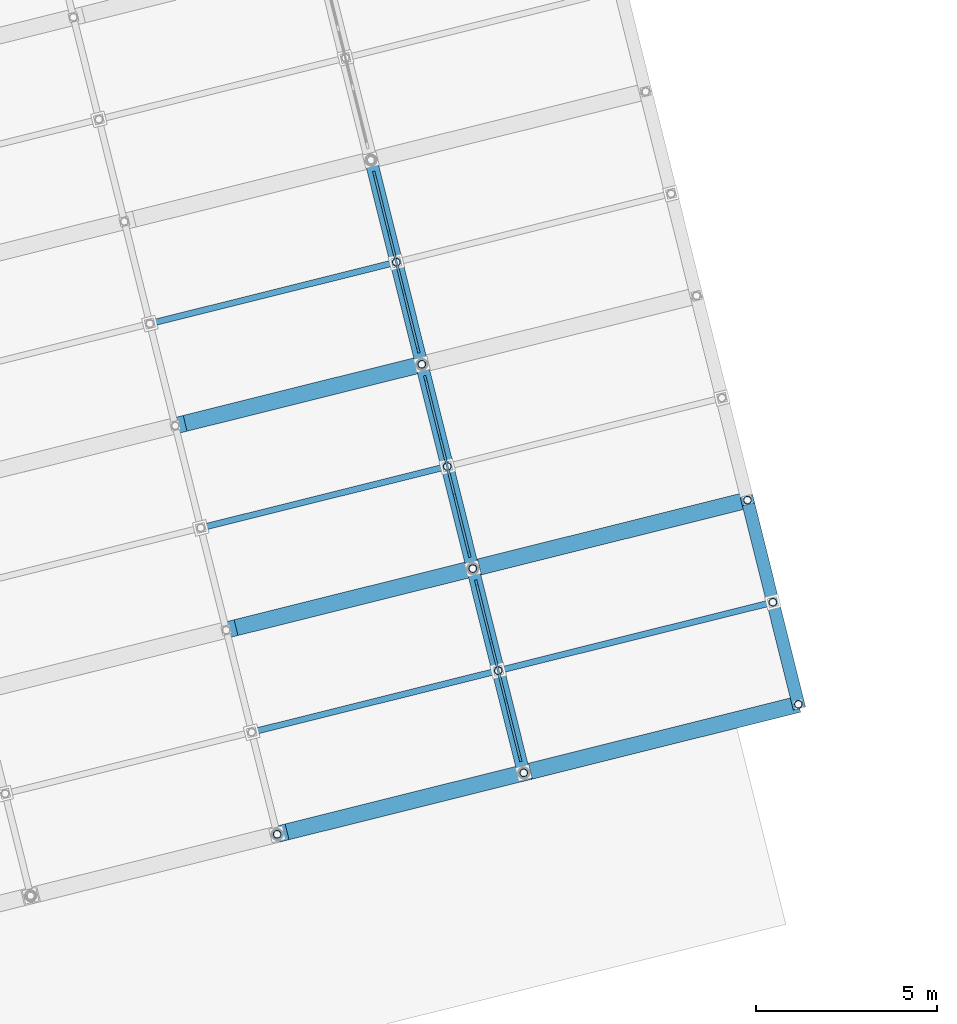
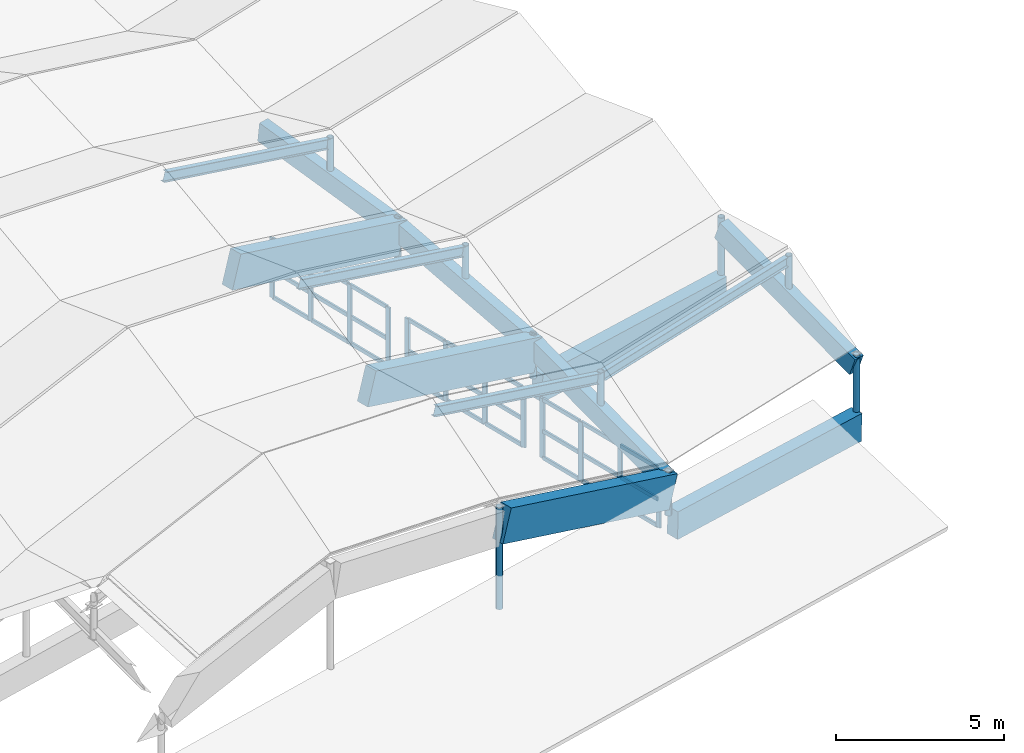
# One storey, part 25 of 65: 49 members, 13 beams, 3 elements without a shape of their own.
"""IFC4 building model written with IfcOpenShell, lengths in metres."""

from ifc_helpers import new_model, si_unit, direction, frame, origin, origin_2d, place, context, subcontext, project, spatial, rectangle, hollow_circle, i_section, extrude, material, material_profile, profile_set, type_object, element, aggregate, save


model = new_model("IFC4")

# Units and contexts
model_context = context("Model", 3, precision=1e-05, world=origin(), true_north=direction((0.0, 1.0)))
body_context = subcontext(model_context, "Body", "Model", "MODEL_VIEW")
ifc_project = project(units=[si_unit("LENGTHUNIT", "METRE"), si_unit("AREAUNIT", "SQUARE_METRE"), si_unit("VOLUMEUNIT", "CUBIC_METRE"), si_unit("PLANEANGLEUNIT", "RADIAN"), si_unit("MASSUNIT", "GRAM", prefix="KILO")], contexts=[model_context])

# Site, building, storey
site_placement = place(None, origin())
site = spatial("IfcSite", under=ifc_project, at=site_placement, CompositionType="ELEMENT")
building_placement = place(site_placement, origin())
building = spatial("IfcBuilding", under=site, at=building_placement, Name="Cinderway Yard Community Centre", CompositionType="ELEMENT")
storey_placement = place(building_placement, frame((0.0, 0.0, 24.300048828125)))
storey = spatial("IfcBuildingStorey", under=building, at=storey_placement, Name="RF", CompositionType="ELEMENT", Elevation=24.300048828125)

# Curtain wall, members
ifc_material_1 = material(Name="Aluminium 6063-T6", Category="aluminium")
curtain_wall_type = type_object("IfcCurtainWallType", Name="ENV-CW-TYPE-10", PredefinedType="USERDEFINED", material=ifc_material_1)
curtain_wall_1_placement = place(storey_placement, origin())
curtain_wall_1 = element("IfcCurtainWall", 1, at=curtain_wall_1_placement, inside=storey, type_object=curtain_wall_type, Name="Main Hall East Clerestory Curtain Wall ENV-CW-RF-HS-0030", ObjectType="GLAZED CURTAIN WALL", PredefinedType="USERDEFINED")
ifc_material_profile_1 = material_profile(ifc_material_1, rectangle(XDim=0.06494140625, YDim=0.179931640625, at=origin_2d()), Name="Aluminium 6063-T6")
ifc_profile_set_1 = profile_set([ifc_material_profile_1], Name="Aluminium 6063-T6")
member_type_1 = type_object("IfcMemberType", Name="ENV-CW-MULL-180", PredefinedType="MULLION", material=ifc_profile_set_1)
member_1_placement = place(storey_placement, frame((46.878662109375, 32.2890625, -11.420166015625), z_axis=(0.0, 0.0, 1.0), x_axis=(-0.970294077356, -0.24192850896, 0.0)))
member_1 = element("IfcMember", 2, at=member_1_placement, type_object=member_type_1, Name="CW-10 mullion 1", PredefinedType="MULLION", context=body_context, shape_type="SweptSolid", body=[
    extrude(rectangle(XDim=0.06494140625, YDim=0.179931640625, at=origin_2d()), origin(), (0.0, 0.0, 1.0), 2.170166015625),
])
member_2_placement = place(storey_placement, frame((46.479736328125, 33.8896484375, -11.420166015625), z_axis=(0.0, 0.0, 1.0), x_axis=(-0.970294077356, -0.24192850896, 0.0)))
member_2 = element("IfcMember", 3, at=member_2_placement, type_object=member_type_1, Name="CW-10 mullion 2", PredefinedType="MULLION", context=body_context, shape_type="SweptSolid", body=[
    extrude(rectangle(XDim=0.06494140625, YDim=0.179931640625, at=origin_2d()), origin(), (0.0, 0.0, 1.0), 2.170166015625),
])
member_3_placement = place(storey_placement, frame((46.0732421875, 35.519287109375, -11.420166015625), z_axis=(0.0, 0.0, 1.0), x_axis=(-0.970294077356, -0.24192850896, 0.0)))
member_3 = element("IfcMember", 4, at=member_3_placement, type_object=member_type_1, Name="CW-10 mullion 3", PredefinedType="MULLION", context=body_context, shape_type="SweptSolid", body=[
    extrude(rectangle(XDim=0.06494140625, YDim=0.179931640625, at=origin_2d()), origin(), (0.0, 0.0, 1.0), 2.170166015625),
])
member_4_placement = place(storey_placement, frame((45.67431640625, 37.119873046875, -11.420166015625), z_axis=(0.0, 0.0, 1.0), x_axis=(-0.970294077356, -0.24192850896, 0.0)))
member_4 = element("IfcMember", 5, at=member_4_placement, type_object=member_type_1, Name="CW-10 mullion 4", PredefinedType="MULLION", context=body_context, shape_type="SweptSolid", body=[
    extrude(rectangle(XDim=0.06494140625, YDim=0.179931640625, at=origin_2d()), origin(), (0.0, 0.0, 1.0), 2.170166015625),
])

curtain_wall_2_placement = place(storey_placement, origin())
curtain_wall_2 = element("IfcCurtainWall", 6, at=curtain_wall_2_placement, inside=storey, type_object=curtain_wall_type, Name="Main Hall East Clerestory Curtain Wall ENV-CW-RF-HS-0031", ObjectType="GLAZED CURTAIN WALL", PredefinedType="USERDEFINED")
member_5_placement = place(storey_placement, frame((45.475830078125, 37.916015625, -11.420166015625), z_axis=(0.0, 0.0, 1.0), x_axis=(-0.97025910369, -0.242068733434, 0.0)))
member_5 = element("IfcMember", 7, at=member_5_placement, type_object=member_type_1, Name="CW-10 mullion 1", PredefinedType="MULLION", context=body_context, shape_type="SweptSolid", body=[
    extrude(rectangle(XDim=0.06494140625, YDim=0.179931640625, at=origin_2d()), origin(), (0.0, 0.0, 1.0), 2.170166015625),
])
member_6_placement = place(storey_placement, frame((45.076416015625, 39.51708984375, -11.420166015625), z_axis=(0.0, 0.0, 1.0), x_axis=(-0.97025910369, -0.242068733434, 0.0)))
member_6 = element("IfcMember", 8, at=member_6_placement, type_object=member_type_1, Name="CW-10 mullion 2", PredefinedType="MULLION", context=body_context, shape_type="SweptSolid", body=[
    extrude(rectangle(XDim=0.06494140625, YDim=0.179931640625, at=origin_2d()), origin(), (0.0, 0.0, 1.0), 2.170166015625),
])
member_7_placement = place(storey_placement, frame((44.669677734375, 41.14697265625, -11.420166015625), z_axis=(0.0, 0.0, 1.0), x_axis=(-0.97025910369, -0.242068733434, 0.0)))
member_7 = element("IfcMember", 9, at=member_7_placement, type_object=member_type_1, Name="CW-10 mullion 3", PredefinedType="MULLION", context=body_context, shape_type="SweptSolid", body=[
    extrude(rectangle(XDim=0.06494140625, YDim=0.179931640625, at=origin_2d()), origin(), (0.0, 0.0, 1.0), 2.170166015625),
])
member_8_placement = place(storey_placement, frame((44.270263671875, 42.747802734375, -11.420166015625), z_axis=(0.0, 0.0, 1.0), x_axis=(-0.97025910369, -0.242068733434, 0.0)))
member_8 = element("IfcMember", 10, at=member_8_placement, type_object=member_type_1, Name="CW-10 mullion 4", PredefinedType="MULLION", context=body_context, shape_type="SweptSolid", body=[
    extrude(rectangle(XDim=0.06494140625, YDim=0.179931640625, at=origin_2d()), origin(), (0.0, 0.0, 1.0), 2.170166015625),
])

curtain_wall_3_placement = place(storey_placement, origin())
curtain_wall_3 = element("IfcCurtainWall", 11, at=curtain_wall_3_placement, inside=storey, type_object=curtain_wall_type, Name="Main Hall East Clerestory Curtain Wall ENV-CW-RF-HS-0032", ObjectType="GLAZED CURTAIN WALL", PredefinedType="USERDEFINED")
member_9_placement = place(storey_placement, frame((44.07177734375, 43.544189453125, -11.420166015625), z_axis=(0.0, 0.0, 1.0), x_axis=(-0.970305690025, -0.241881929678, 0.0)))
member_9 = element("IfcMember", 12, at=member_9_placement, type_object=member_type_1, Name="CW-10 mullion 1", PredefinedType="MULLION", context=body_context, shape_type="SweptSolid", body=[
    extrude(rectangle(XDim=0.06494140625, YDim=0.179931640625, at=origin_2d()), origin(), (0.0, 0.0, 1.0), 2.170166015625),
])
member_10_placement = place(storey_placement, frame((43.672607421875, 45.14501953125, -11.420166015625), z_axis=(0.0, 0.0, 1.0), x_axis=(-0.970305690025, -0.241881929678, 0.0)))
member_10 = element("IfcMember", 13, at=member_10_placement, type_object=member_type_1, Name="CW-10 mullion 2", PredefinedType="MULLION", context=body_context, shape_type="SweptSolid", body=[
    extrude(rectangle(XDim=0.06494140625, YDim=0.179931640625, at=origin_2d()), origin(), (0.0, 0.0, 1.0), 2.170166015625),
])
member_11_placement = place(storey_placement, frame((43.266357421875, 46.77490234375, -11.420166015625), z_axis=(0.0, 0.0, 1.0), x_axis=(-0.970305690025, -0.241881929678, 0.0)))
member_11 = element("IfcMember", 14, at=member_11_placement, type_object=member_type_1, Name="CW-10 mullion 3", PredefinedType="MULLION", context=body_context, shape_type="SweptSolid", body=[
    extrude(rectangle(XDim=0.06494140625, YDim=0.179931640625, at=origin_2d()), origin(), (0.0, 0.0, 1.0), 2.170166015625),
])
member_12_placement = place(storey_placement, frame((42.8671875, 48.3759765625, -11.420166015625), z_axis=(0.0, 0.0, 1.0), x_axis=(-0.970305690025, -0.241881929678, 0.0)))
member_12 = element("IfcMember", 15, at=member_12_placement, type_object=member_type_1, Name="CW-10 mullion 4", PredefinedType="MULLION", context=body_context, shape_type="SweptSolid", body=[
    extrude(rectangle(XDim=0.06494140625, YDim=0.179931640625, at=origin_2d()), origin(), (0.0, 0.0, 1.0), 2.170166015625),
])

# Member
ifc_material_profile_2 = material_profile(ifc_material_1, rectangle(XDim=0.06494140625, YDim=0.139892578125, at=origin_2d()), Name="Aluminium 6063-T6")
ifc_profile_set_2 = profile_set([ifc_material_profile_2], Name="Aluminium 6063-T6")
member_type_2 = type_object("IfcMemberType", Name="ENV-CW-TRAN-140", PredefinedType="USERDEFINED", material=ifc_profile_set_2)
member_13_placement = place(storey_placement, frame((46.87158203125, 32.318115234375, -11.39013671875), z_axis=(-0.242029707335, 0.970268839429, 0.0), x_axis=(-0.970268839429, -0.242029707335, 0.0)))
member_13 = element("IfcMember", 16, at=member_13_placement, type_object=member_type_2, Name="CW-10 transom 1.1", ObjectType="TRANSOM", PredefinedType="USERDEFINED", context=body_context, shape_type="SweptSolid", body=[
    extrude(rectangle(XDim=0.06494140625, YDim=0.139892578125, at=origin_2d()), origin(), (0.0, 0.0, 1.0), 1.58984375),
])

member_14_placement = place(storey_placement, frame((46.87158203125, 32.318115234375, -10.420166015625), z_axis=(-0.242029707335, 0.970268839429, 0.0), x_axis=(-0.970268839429, -0.242029707335, 0.0)))
member_14 = element("IfcMember", 17, at=member_14_placement, type_object=member_type_2, Name="CW-10 transom 1.2", ObjectType="TRANSOM", PredefinedType="USERDEFINED", context=body_context, shape_type="SweptSolid", body=[
    extrude(rectangle(XDim=0.06494140625, YDim=0.139892578125, at=origin_2d()), origin(), (0.0, 0.0, 1.0), 1.58984375),
])

member_15_placement = place(storey_placement, frame((46.87158203125, 32.318115234375, -9.280029296875), z_axis=(-0.242029707335, 0.970268839429, 0.0), x_axis=(-0.970268839429, -0.242029707335, 0.0)))
member_15 = element("IfcMember", 18, at=member_15_placement, type_object=member_type_2, Name="CW-10 transom 1.3", ObjectType="TRANSOM", PredefinedType="USERDEFINED", context=body_context, shape_type="SweptSolid", body=[
    extrude(rectangle(XDim=0.06494140625, YDim=0.139892578125, at=origin_2d()), origin(), (0.0, 0.0, 1.0), 1.58984375),
])

member_16_placement = place(storey_placement, frame((46.472412109375, 33.918701171875, -11.39013671875), z_axis=(-0.241932630828, 0.97029304962, 0.0), x_axis=(-0.97029304962, -0.241932630828, 0.0)))
member_16 = element("IfcMember", 19, at=member_16_placement, type_object=member_type_2, Name="CW-10 transom 2.1", ObjectType="TRANSOM", PredefinedType="USERDEFINED", context=body_context, shape_type="SweptSolid", body=[
    extrude(rectangle(XDim=0.06494140625, YDim=0.139892578125, at=origin_2d()), origin(), (0.0, 0.0, 1.0), 1.61962890625),
])

member_17_placement = place(storey_placement, frame((46.472412109375, 33.918701171875, -10.420166015625), z_axis=(-0.241932630828, 0.97029304962, 0.0), x_axis=(-0.97029304962, -0.241932630828, 0.0)))
member_17 = element("IfcMember", 20, at=member_17_placement, type_object=member_type_2, Name="CW-10 transom 2.2", ObjectType="TRANSOM", PredefinedType="USERDEFINED", context=body_context, shape_type="SweptSolid", body=[
    extrude(rectangle(XDim=0.06494140625, YDim=0.139892578125, at=origin_2d()), origin(), (0.0, 0.0, 1.0), 1.61962890625),
])

member_18_placement = place(storey_placement, frame((46.472412109375, 33.918701171875, -9.280029296875), z_axis=(-0.241932630828, 0.97029304962, 0.0), x_axis=(-0.97029304962, -0.241932630828, 0.0)))
member_18 = element("IfcMember", 21, at=member_18_placement, type_object=member_type_2, Name="CW-10 transom 2.3", ObjectType="TRANSOM", PredefinedType="USERDEFINED", context=body_context, shape_type="SweptSolid", body=[
    extrude(rectangle(XDim=0.06494140625, YDim=0.139892578125, at=origin_2d()), origin(), (0.0, 0.0, 1.0), 1.61962890625),
])

member_19_placement = place(storey_placement, frame((46.066162109375, 35.54833984375, -11.39013671875), z_axis=(-0.242029707335, 0.970268839429, 0.0), x_axis=(-0.970268839429, -0.242029707335, 0.0)))
member_19 = element("IfcMember", 22, at=member_19_placement, type_object=member_type_2, Name="CW-10 transom 3.1", ObjectType="TRANSOM", PredefinedType="USERDEFINED", context=body_context, shape_type="SweptSolid", body=[
    extrude(rectangle(XDim=0.06494140625, YDim=0.139892578125, at=origin_2d()), origin(), (0.0, 0.0, 1.0), 1.58984375),
])

member_20_placement = place(storey_placement, frame((46.066162109375, 35.54833984375, -10.420166015625), z_axis=(-0.242029707335, 0.970268839429, 0.0), x_axis=(-0.970268839429, -0.242029707335, 0.0)))
member_20 = element("IfcMember", 23, at=member_20_placement, type_object=member_type_2, Name="CW-10 transom 3.2", ObjectType="TRANSOM", PredefinedType="USERDEFINED", context=body_context, shape_type="SweptSolid", body=[
    extrude(rectangle(XDim=0.06494140625, YDim=0.139892578125, at=origin_2d()), origin(), (0.0, 0.0, 1.0), 1.58984375),
])

member_21_placement = place(storey_placement, frame((46.066162109375, 35.54833984375, -9.280029296875), z_axis=(-0.242029707335, 0.970268839429, 0.0), x_axis=(-0.970268839429, -0.242029707335, 0.0)))
member_21 = element("IfcMember", 24, at=member_21_placement, type_object=member_type_2, Name="CW-10 transom 3.3", ObjectType="TRANSOM", PredefinedType="USERDEFINED", context=body_context, shape_type="SweptSolid", body=[
    extrude(rectangle(XDim=0.06494140625, YDim=0.139892578125, at=origin_2d()), origin(), (0.0, 0.0, 1.0), 1.58984375),
])

aggregate(curtain_wall_1, [member_1, member_2, member_3, member_4, member_13, member_14, member_15, member_16, member_17, member_18, member_19, member_20, member_21])

member_22_placement = place(storey_placement, frame((45.468505859375, 37.9453125, -11.39013671875), z_axis=(-0.242174275415, 0.970232766055, 0.0), x_axis=(-0.970232766055, -0.242174275415, 0.0)))
member_22 = element("IfcMember", 25, at=member_22_placement, type_object=member_type_2, Name="CW-10 transom 1.1", ObjectType="TRANSOM", PredefinedType="USERDEFINED", context=body_context, shape_type="SweptSolid", body=[
    extrude(rectangle(XDim=0.06494140625, YDim=0.139892578125, at=origin_2d()), origin(), (0.0, 0.0, 1.0), 1.58984375),
])

member_23_placement = place(storey_placement, frame((45.468505859375, 37.9453125, -10.420166015625), z_axis=(-0.242174275415, 0.970232766055, 0.0), x_axis=(-0.970232766055, -0.242174275415, 0.0)))
member_23 = element("IfcMember", 26, at=member_23_placement, type_object=member_type_2, Name="CW-10 transom 1.2", ObjectType="TRANSOM", PredefinedType="USERDEFINED", context=body_context, shape_type="SweptSolid", body=[
    extrude(rectangle(XDim=0.06494140625, YDim=0.139892578125, at=origin_2d()), origin(), (0.0, 0.0, 1.0), 1.58984375),
])

member_24_placement = place(storey_placement, frame((45.468505859375, 37.9453125, -9.280029296875), z_axis=(-0.242174275415, 0.970232766055, 0.0), x_axis=(-0.970232766055, -0.242174275415, 0.0)))
member_24 = element("IfcMember", 27, at=member_24_placement, type_object=member_type_2, Name="CW-10 transom 1.3", ObjectType="TRANSOM", PredefinedType="USERDEFINED", context=body_context, shape_type="SweptSolid", body=[
    extrude(rectangle(XDim=0.06494140625, YDim=0.139892578125, at=origin_2d()), origin(), (0.0, 0.0, 1.0), 1.58984375),
])

member_25_placement = place(storey_placement, frame((45.069091796875, 39.546142578125, -11.39013671875), z_axis=(-0.242039139108, 0.970266486662, 0.0), x_axis=(-0.970266486662, -0.242039139108, 0.0)))
member_25 = element("IfcMember", 28, at=member_25_placement, type_object=member_type_2, Name="CW-10 transom 2.1", ObjectType="TRANSOM", PredefinedType="USERDEFINED", context=body_context, shape_type="SweptSolid", body=[
    extrude(rectangle(XDim=0.06494140625, YDim=0.139892578125, at=origin_2d()), origin(), (0.0, 0.0, 1.0), 1.619873046875),
])

member_26_placement = place(storey_placement, frame((45.069091796875, 39.546142578125, -10.420166015625), z_axis=(-0.242039139108, 0.970266486662, 0.0), x_axis=(-0.970266486662, -0.242039139108, 0.0)))
member_26 = element("IfcMember", 29, at=member_26_placement, type_object=member_type_2, Name="CW-10 transom 2.2", ObjectType="TRANSOM", PredefinedType="USERDEFINED", context=body_context, shape_type="SweptSolid", body=[
    extrude(rectangle(XDim=0.06494140625, YDim=0.139892578125, at=origin_2d()), origin(), (0.0, 0.0, 1.0), 1.619873046875),
])

member_27_placement = place(storey_placement, frame((45.069091796875, 39.546142578125, -9.280029296875), z_axis=(-0.242039139108, 0.970266486662, 0.0), x_axis=(-0.970266486662, -0.242039139108, 0.0)))
member_27 = element("IfcMember", 30, at=member_27_placement, type_object=member_type_2, Name="CW-10 transom 2.3", ObjectType="TRANSOM", PredefinedType="USERDEFINED", context=body_context, shape_type="SweptSolid", body=[
    extrude(rectangle(XDim=0.06494140625, YDim=0.139892578125, at=origin_2d()), origin(), (0.0, 0.0, 1.0), 1.619873046875),
])

member_28_placement = place(storey_placement, frame((44.662353515625, 41.176025390625, -11.39013671875), z_axis=(-0.241993648596, 0.970277833427, 0.0), x_axis=(-0.970277833427, -0.241993648596, 0.0)))
member_28 = element("IfcMember", 31, at=member_28_placement, type_object=member_type_2, Name="CW-10 transom 3.1", ObjectType="TRANSOM", PredefinedType="USERDEFINED", context=body_context, shape_type="SweptSolid", body=[
    extrude(rectangle(XDim=0.06494140625, YDim=0.139892578125, at=origin_2d()), origin(), (0.0, 0.0, 1.0), 1.590087890625),
])

member_29_placement = place(storey_placement, frame((44.662353515625, 41.176025390625, -10.420166015625), z_axis=(-0.241993648596, 0.970277833427, 0.0), x_axis=(-0.970277833427, -0.241993648596, 0.0)))
member_29 = element("IfcMember", 32, at=member_29_placement, type_object=member_type_2, Name="CW-10 transom 3.2", ObjectType="TRANSOM", PredefinedType="USERDEFINED", context=body_context, shape_type="SweptSolid", body=[
    extrude(rectangle(XDim=0.06494140625, YDim=0.139892578125, at=origin_2d()), origin(), (0.0, 0.0, 1.0), 1.590087890625),
])

member_30_placement = place(storey_placement, frame((44.662353515625, 41.176025390625, -9.280029296875), z_axis=(-0.241993648596, 0.970277833427, 0.0), x_axis=(-0.970277833427, -0.241993648596, 0.0)))
member_30 = element("IfcMember", 33, at=member_30_placement, type_object=member_type_2, Name="CW-10 transom 3.3", ObjectType="TRANSOM", PredefinedType="USERDEFINED", context=body_context, shape_type="SweptSolid", body=[
    extrude(rectangle(XDim=0.06494140625, YDim=0.139892578125, at=origin_2d()), origin(), (0.0, 0.0, 1.0), 1.590087890625),
])

aggregate(curtain_wall_2, [member_5, member_6, member_7, member_8, member_22, member_23, member_24, member_25, member_26, member_27, member_28, member_29, member_30])

member_31_placement = place(storey_placement, frame((44.064453125, 43.5732421875, -11.39013671875), z_axis=(-0.241849083258, 0.97031387753, 0.0), x_axis=(-0.97031387753, -0.241849083258, 0.0)))
member_31 = element("IfcMember", 34, at=member_31_placement, type_object=member_type_2, Name="CW-10 transom 1.1", ObjectType="TRANSOM", PredefinedType="USERDEFINED", context=body_context, shape_type="SweptSolid", body=[
    extrude(rectangle(XDim=0.06494140625, YDim=0.139892578125, at=origin_2d()), origin(), (0.0, 0.0, 1.0), 1.58984375),
])

member_32_placement = place(storey_placement, frame((44.064453125, 43.5732421875, -10.420166015625), z_axis=(-0.241849083258, 0.97031387753, 0.0), x_axis=(-0.97031387753, -0.241849083258, 0.0)))
member_32 = element("IfcMember", 35, at=member_32_placement, type_object=member_type_2, Name="CW-10 transom 1.2", ObjectType="TRANSOM", PredefinedType="USERDEFINED", context=body_context, shape_type="SweptSolid", body=[
    extrude(rectangle(XDim=0.06494140625, YDim=0.139892578125, at=origin_2d()), origin(), (0.0, 0.0, 1.0), 1.58984375),
])

member_33_placement = place(storey_placement, frame((44.064453125, 43.5732421875, -9.280029296875), z_axis=(-0.241849083258, 0.97031387753, 0.0), x_axis=(-0.97031387753, -0.241849083258, 0.0)))
member_33 = element("IfcMember", 36, at=member_33_placement, type_object=member_type_2, Name="CW-10 transom 1.3", ObjectType="TRANSOM", PredefinedType="USERDEFINED", context=body_context, shape_type="SweptSolid", body=[
    extrude(rectangle(XDim=0.06494140625, YDim=0.139892578125, at=origin_2d()), origin(), (0.0, 0.0, 1.0), 1.58984375),
])

member_34_placement = place(storey_placement, frame((43.66552734375, 45.174072265625, -11.39013671875), z_axis=(-0.241897251039, 0.970301870523, 0.0), x_axis=(-0.970301870523, -0.241897251039, 0.0)))
member_34 = element("IfcMember", 37, at=member_34_placement, type_object=member_type_2, Name="CW-10 transom 2.1", ObjectType="TRANSOM", PredefinedType="USERDEFINED", context=body_context, shape_type="SweptSolid", body=[
    extrude(rectangle(XDim=0.06494140625, YDim=0.139892578125, at=origin_2d()), origin(), (0.0, 0.0, 1.0), 1.619873046875),
])

member_35_placement = place(storey_placement, frame((43.66552734375, 45.174072265625, -10.420166015625), z_axis=(-0.241897251039, 0.970301870523, 0.0), x_axis=(-0.970301870523, -0.241897251039, 0.0)))
member_35 = element("IfcMember", 38, at=member_35_placement, type_object=member_type_2, Name="CW-10 transom 2.2", ObjectType="TRANSOM", PredefinedType="USERDEFINED", context=body_context, shape_type="SweptSolid", body=[
    extrude(rectangle(XDim=0.06494140625, YDim=0.139892578125, at=origin_2d()), origin(), (0.0, 0.0, 1.0), 1.619873046875),
])

member_36_placement = place(storey_placement, frame((43.66552734375, 45.174072265625, -9.280029296875), z_axis=(-0.241897251039, 0.970301870523, 0.0), x_axis=(-0.970301870523, -0.241897251039, 0.0)))
member_36 = element("IfcMember", 39, at=member_36_placement, type_object=member_type_2, Name="CW-10 transom 2.3", ObjectType="TRANSOM", PredefinedType="USERDEFINED", context=body_context, shape_type="SweptSolid", body=[
    extrude(rectangle(XDim=0.06494140625, YDim=0.139892578125, at=origin_2d()), origin(), (0.0, 0.0, 1.0), 1.619873046875),
])

member_37_placement = place(storey_placement, frame((43.259033203125, 46.80419921875, -11.39013671875), z_axis=(-0.241885123134, 0.970304893941, 0.0), x_axis=(-0.970304893941, -0.241885123134, 0.0)))
member_37 = element("IfcMember", 40, at=member_37_placement, type_object=member_type_2, Name="CW-10 transom 3.1", ObjectType="TRANSOM", PredefinedType="USERDEFINED", context=body_context, shape_type="SweptSolid", body=[
    extrude(rectangle(XDim=0.06494140625, YDim=0.139892578125, at=origin_2d()), origin(), (0.0, 0.0, 1.0), 1.589599609375),
])

member_38_placement = place(storey_placement, frame((43.259033203125, 46.80419921875, -10.420166015625), z_axis=(-0.241885123134, 0.970304893941, 0.0), x_axis=(-0.970304893941, -0.241885123134, 0.0)))
member_38 = element("IfcMember", 41, at=member_38_placement, type_object=member_type_2, Name="CW-10 transom 3.2", ObjectType="TRANSOM", PredefinedType="USERDEFINED", context=body_context, shape_type="SweptSolid", body=[
    extrude(rectangle(XDim=0.06494140625, YDim=0.139892578125, at=origin_2d()), origin(), (0.0, 0.0, 1.0), 1.589599609375),
])

member_39_placement = place(storey_placement, frame((43.259033203125, 46.80419921875, -9.280029296875), z_axis=(-0.241885123134, 0.970304893941, 0.0), x_axis=(-0.970304893941, -0.241885123134, 0.0)))
member_39 = element("IfcMember", 42, at=member_39_placement, type_object=member_type_2, Name="CW-10 transom 3.3", ObjectType="TRANSOM", PredefinedType="USERDEFINED", context=body_context, shape_type="SweptSolid", body=[
    extrude(rectangle(XDim=0.06494140625, YDim=0.139892578125, at=origin_2d()), origin(), (0.0, 0.0, 1.0), 1.589599609375),
])

aggregate(curtain_wall_3, [member_9, member_10, member_11, member_12, member_31, member_32, member_33, member_34, member_35, member_36, member_37, member_38, member_39])

# Beams
ifc_material_2 = material(Name="Concrete C35/45", Category="concrete")
ifc_material_profile_3 = material_profile(ifc_material_2, rectangle(XDim=0.35009765625, YDim=0.699951171875, at=origin_2d()), Name="Concrete C35/45")
ifc_profile_set_3 = profile_set([ifc_material_profile_3], Name="Concrete C35/45")
beam_type_1 = type_object("IfcBeamType", Name="STR-BM-RC350X700", PredefinedType="BEAM", material=ifc_profile_set_3)
for number, where, z_axis, x_axis, name in (
    (43, (46.97802734375, 31.89111328125, -9.570068359375), (-0.227935627116, 0.914122208766, 0.335299772341), (-0.97029090175, -0.241941244896, 0.0), "Folded-plate valley beam B1-U28"),
    (44, (54.5458984375, 33.778076171875, -9.1201171875), (-0.227898025543, 0.914130472105, 0.335302803331), (-0.970300783854, -0.241901609859, 0.0), "Folded-plate valley beam B1-U36"),
):
    element("IfcBeam", number, at=place(storey_placement, frame(where, z_axis=z_axis, x_axis=x_axis)), inside=storey, type_object=beam_type_1, Name=name, PredefinedType="BEAM", context=body_context, shape_type="SweptSolid", body=[
        extrude(rectangle(XDim=0.35009765625, YDim=0.699951171875, at=origin_2d()), origin(), (0.0, 0.0, 1.0), 6.155517578125),
    ])
beam_1_placement = place(storey_placement, frame((45.574951171875, 37.51806640625, -7.506103515625), z_axis=(-0.235945368358, 0.945750761847, 0.223350127863), x_axis=(-0.970261226344, -0.242060225261, 0.0)))
element("IfcBeam", 45, at=beam_1_placement, inside=storey, type_object=beam_type_1, Name="Folded-plate valley beam B2-U28", PredefinedType="BEAM", context=body_context, shape_type="SweptSolid", body=[
    extrude(rectangle(XDim=0.35009765625, YDim=0.699951171875, at=origin_2d()), origin(), (0.0, 0.0, 1.0), 5.95068359375),
])
beam_2_placement = place(storey_placement, frame((44.1708984375, 43.14599609375, -6.177001953125), z_axis=(-0.240348967507, 0.964240236507, 0.111683213234), x_axis=(-0.970310635396, -0.241862090534, 0.0)))
element("IfcBeam", 46, at=beam_2_placement, inside=storey, type_object=beam_type_1, Name="Folded-plate valley beam B3-U28", PredefinedType="BEAM", context=body_context, shape_type="SweptSolid", body=[
    extrude(rectangle(XDim=0.35009765625, YDim=0.699951171875, at=origin_2d()), origin(), (0.0, 0.0, 1.0), 5.836669921875),
])
ifc_material_3 = material(Name="Concrete C40/50", Category="concrete")
ifc_material_profile_4 = material_profile(ifc_material_3, rectangle(XDim=0.449951171875, YDim=1.0, at=origin_2d()), Name="Concrete C40/50")
ifc_profile_set_4 = profile_set([ifc_material_profile_4], Name="Concrete C40/50")
beam_type_2 = type_object("IfcBeamType", Name="STR-BM-RC450X1000", PredefinedType="BEAM", material=ifc_profile_set_4)
for number, where, z_axis, x_axis, name in (
    (47, (47.152099609375, 31.93408203125, -11.150146484375), (0.970159890694, 0.241955346027, -0.01572885938), (-0.241985281096, 0.970279920298, 0.0), "Main Hall folded-plate cantilever eave rib 01"),
    (48, (45.7490234375, 37.56201171875, -9.0859375), (0.970191354547, 0.241827066482, -0.015760884449), (-0.241857107663, 0.970311877425, 0.0), "Main Hall folded-plate cantilever eave rib 02"),
):
    element("IfcBeam", number, at=place(storey_placement, frame(where, z_axis=z_axis, x_axis=x_axis)), inside=storey, type_object=beam_type_2, Name=name, PredefinedType="BEAM", context=body_context, shape_type="SweptSolid", body=[
        extrude(rectangle(XDim=0.449951171875, YDim=1.0, at=origin_2d()), origin(), (0.0, 0.0, 1.0), 7.621337890625),
    ])
ifc_material_profile_5 = material_profile(ifc_material_3, rectangle(XDim=0.449951171875, YDim=1.199951171875, at=origin_2d()), Name="Concrete C40/50")
ifc_profile_set_5 = profile_set([ifc_material_profile_5], Name="Concrete C40/50")
beam_type_3 = type_object("IfcBeamType", Name="STR-BM-RC450X1200", PredefinedType="BEAM", material=ifc_profile_set_5)
beam_3_placement = place(storey_placement, frame((40.2880859375, 30.222900390625, -7.719970703125), z_axis=(0.928186264699, 0.231453789748, -0.291375018208), x_axis=(-0.241952367714, 0.970288128216, 0.0)))
element("IfcBeam", 49, at=beam_3_placement, inside=storey, type_object=beam_type_3, Name="Main Hall arch rib segment 01.4", PredefinedType="BEAM", context=body_context, shape_type="SweptSolid", body=[
    extrude(rectangle(XDim=0.449951171875, YDim=1.199951171875, at=origin_2d()), origin(), (0.0, 0.0, 1.0), 7.20751953125),
])
beam_4_placement = place(storey_placement, frame((38.884033203125, 35.85009765625, -5.656005859375), z_axis=(0.928212297607, 0.231392629981, -0.291340662045), x_axis=(-0.241885787901, 0.970304728223, 0.0)))
element("IfcBeam", 50, at=beam_4_placement, inside=storey, type_object=beam_type_3, Name="Main Hall arch rib segment 02.4", PredefinedType="BEAM", context=body_context, shape_type="SweptSolid", body=[
    extrude(rectangle(XDim=0.449951171875, YDim=1.199951171875, at=origin_2d()), origin(), (0.0, 0.0, 1.0), 7.20849609375),
])
beam_5_placement = place(storey_placement, frame((37.48095703125, 41.47802734375, -4.3271484375), z_axis=(0.928202702015, 0.231424015042, -0.291346304651), x_axis=(-0.241919030794, 0.970296440548, 0.0)))
element("IfcBeam", 51, at=beam_5_placement, inside=storey, type_object=beam_type_3, Name="Main Hall arch rib segment 03.4", PredefinedType="BEAM", context=body_context, shape_type="SweptSolid", body=[
    extrude(rectangle(XDim=0.449951171875, YDim=1.199951171875, at=origin_2d()), origin(), (0.0, 0.0, 1.0), 7.20751953125),
])
ifc_material_4 = material(Name="Steel S355", Category="steel")
ifc_material_profile_6 = material_profile(ifc_material_4, i_section(OverallWidth=0.172119140625, OverallDepth=0.35791015625, WebThickness=0.0078125, FlangeThickness=0.01318359375, FilletRadius=0.010986328125, at=origin_2d()), Name="Steel S355")
ifc_profile_set_6 = profile_set([ifc_material_profile_6], Name="Steel S355")
beam_type_4 = type_object("IfcBeamType", Name="STR-BM-W360X57", PredefinedType="JOIST", material=ifc_profile_set_6)
beam_6_placement = place(storey_placement, frame((39.5859375, 33.035888671875, -5.093017578125), z_axis=(0.926954306759, 0.231180377413, -0.295484934102), x_axis=(-0.241985666717, 0.970279824125, 0.0)))
element("IfcBeam", 52, at=beam_6_placement, inside=storey, type_object=beam_type_4, Name="Folded-plate ridge beam B1.5", PredefinedType="JOIST", context=body_context, shape_type="SweptSolid", body=[
    extrude(i_section(OverallWidth=0.172119140625, OverallDepth=0.35791015625, WebThickness=0.0078125, FlangeThickness=0.01318359375, FilletRadius=0.010986328125, at=origin_2d()), origin(), (0.0, 0.0, 1.0), 7.107177734375),
])
beam_7_placement = place(storey_placement, frame((46.3779296875, 34.72998046875, -7.193115234375), z_axis=(0.968606522816, 0.241453278469, 0.059175318114), x_axis=(-0.241877142663, 0.97030688334, 0.0)))
element("IfcBeam", 53, at=beam_7_placement, inside=storey, type_object=beam_type_4, Name="Folded-plate ridge beam B1.6", PredefinedType="JOIST", context=body_context, shape_type="SweptSolid", body=[
    extrude(i_section(OverallWidth=0.172119140625, OverallDepth=0.35791015625, WebThickness=0.0078125, FlangeThickness=0.01318359375, FilletRadius=0.010986328125, at=origin_2d()), origin(), (0.0, 0.0, 1.0), 7.603759765625),
])
beam_8_placement = place(storey_placement, frame((38.18310546875, 38.6640625, -3.39697265625), z_axis=(0.92695683258, 0.231155222592, -0.295496689663), x_axis=(-0.241960257063, 0.970286160884, 0.0)))
element("IfcBeam", 54, at=beam_8_placement, inside=storey, type_object=beam_type_4, Name="Folded-plate ridge beam B2.5", PredefinedType="JOIST", context=body_context, shape_type="SweptSolid", body=[
    extrude(i_section(OverallWidth=0.172119140625, OverallDepth=0.35791015625, WebThickness=0.0078125, FlangeThickness=0.01318359375, FilletRadius=0.010986328125, at=origin_2d()), origin(), (0.0, 0.0, 1.0), 7.10693359375),
])
beam_9_placement = place(storey_placement, frame((36.780029296875, 44.2919921875, -2.406005859375), z_axis=(0.926949471467, 0.23118773877, -0.295494343076), x_axis=(-0.241994109311, 0.970277718521, 0.0)))
element("IfcBeam", 55, at=beam_9_placement, inside=storey, type_object=beam_type_4, Name="Folded-plate ridge beam B3.5", PredefinedType="JOIST", context=body_context, shape_type="SweptSolid", body=[
    extrude(i_section(OverallWidth=0.172119140625, OverallDepth=0.35791015625, WebThickness=0.0078125, FlangeThickness=0.01318359375, FilletRadius=0.010986328125, at=origin_2d()), origin(), (0.0, 0.0, 1.0), 7.107177734375),
])

# Members
ifc_material_profile_7 = material_profile(ifc_material_4, hollow_circle(Radius=0.109619140625, WallThickness=0.010009765625, at=origin_2d()), Name="Steel S355")
ifc_profile_set_7 = profile_set([ifc_material_profile_7], Name="Steel S355")
member_type_3 = type_object("IfcMemberType", Name="STR-MEM-STRUT-CHS219", PredefinedType="STRUT", material=ifc_profile_set_7)
member_40_placement = place(storey_placement, frame((40.18603515625, 30.197021484375, -10.75), z_axis=(0.0, 0.0, 1.0), x_axis=(1.0, 0.0, 0.0)))
element("IfcMember", 56, at=member_40_placement, inside=storey, type_object=member_type_3, Name="Arch rib web post 01-21", PredefinedType="STRUT", context=body_context, shape_type="SweptSolid", body=[
    extrude(hollow_circle(Radius=0.109619140625, WallThickness=0.010009765625, at=origin_2d()), origin(), (0.0, 0.0, 1.0), 3.7099609375),
])
member_41_placement = place(storey_placement, frame((46.97802734375, 31.89111328125, -10.75), z_axis=(0.0, 0.0, 1.0), x_axis=(1.0, 0.0, 0.0)))
element("IfcMember", 57, at=member_41_placement, inside=storey, type_object=member_type_3, Name="Arch rib web post 01-28", PredefinedType="STRUT", context=body_context, shape_type="SweptSolid", body=[
    extrude(hollow_circle(Radius=0.109619140625, WallThickness=0.010009765625, at=origin_2d()), origin(), (0.0, 0.0, 1.0), 1.60986328125),
])
member_42_placement = place(storey_placement, frame((54.5458984375, 33.778076171875, -10.8701171875), z_axis=(0.0, 0.0, 1.0), x_axis=(1.0, 0.0, 0.0)))
element("IfcMember", 58, at=member_42_placement, inside=storey, type_object=member_type_3, Name="Arch rib web post 01-36", PredefinedType="STRUT", context=body_context, shape_type="SweptSolid", body=[
    extrude(hollow_circle(Radius=0.109619140625, WallThickness=0.010009765625, at=origin_2d()), origin(), (0.0, 0.0, 1.0), 2.18017578125),
])
member_43_placement = place(storey_placement, frame((45.574951171875, 37.51806640625, -8.68603515625), z_axis=(0.0, 0.0, 1.0), x_axis=(1.0, 0.0, 0.0)))
element("IfcMember", 59, at=member_43_placement, inside=storey, type_object=member_type_3, Name="Arch rib web post 02-28", PredefinedType="STRUT", context=body_context, shape_type="SweptSolid", body=[
    extrude(hollow_circle(Radius=0.109619140625, WallThickness=0.010009765625, at=origin_2d()), origin(), (0.0, 0.0, 1.0), 1.610107421875),
])
member_44_placement = place(storey_placement, frame((53.14306640625, 39.405029296875, -8.80615234375), z_axis=(0.0, 0.0, 1.0), x_axis=(1.0, 0.0, 0.0)))
element("IfcMember", 60, at=member_44_placement, inside=storey, type_object=member_type_3, Name="Arch rib web post 02-36", PredefinedType="STRUT", context=body_context, shape_type="SweptSolid", body=[
    extrude(hollow_circle(Radius=0.109619140625, WallThickness=0.010009765625, at=origin_2d()), origin(), (0.0, 0.0, 1.0), 2.18017578125),
])
member_45_placement = place(storey_placement, frame((44.1708984375, 43.14599609375, -7.35693359375), z_axis=(0.0, 0.0, 1.0), x_axis=(1.0, 0.0, 0.0)))
element("IfcMember", 61, at=member_45_placement, inside=storey, type_object=member_type_3, Name="Arch rib web post 03-28", PredefinedType="STRUT", context=body_context, shape_type="SweptSolid", body=[
    extrude(hollow_circle(Radius=0.109619140625, WallThickness=0.010009765625, at=origin_2d()), origin(), (0.0, 0.0, 1.0), 1.60986328125),
])
for number, where, z_axis, x_axis, name in (
    (62, (46.27587890625, 34.705078125, -8.588134765625), (0.0, 0.0, 1.0), (1.0, 0.0, 0.0), "Folded-plate ridge kingpost B1-U28"),
    (63, (53.843994140625, 36.592041015625, -8.137939453125), (0.0, 0.0, 1.0), (1.0, 0.0, 0.0), "Folded-plate ridge kingpost B1-U36"),
    (64, (44.873046875, 40.33203125, -6.89208984375), (0.0, 0.0, 1.0), (1.0, 0.0, 0.0), "Folded-plate ridge kingpost B2-U28"),
    (65, (43.469970703125, 45.9599609375, -5.901123046875), (0.0, 0.0, 1.0), (1.0, 0.0, 0.0), "Folded-plate ridge kingpost B3-U28"),
):
    element("IfcMember", number, at=place(storey_placement, frame(where, z_axis=z_axis, x_axis=x_axis)), inside=storey, type_object=member_type_3, Name=name, PredefinedType="STRUT", context=body_context, shape_type="SweptSolid", body=[
        extrude(hollow_circle(Radius=0.109619140625, WallThickness=0.010009765625, at=origin_2d()), origin(), (0.0, 0.0, 1.0), 1.583984375),
    ])

save(model, "model.ifc")
